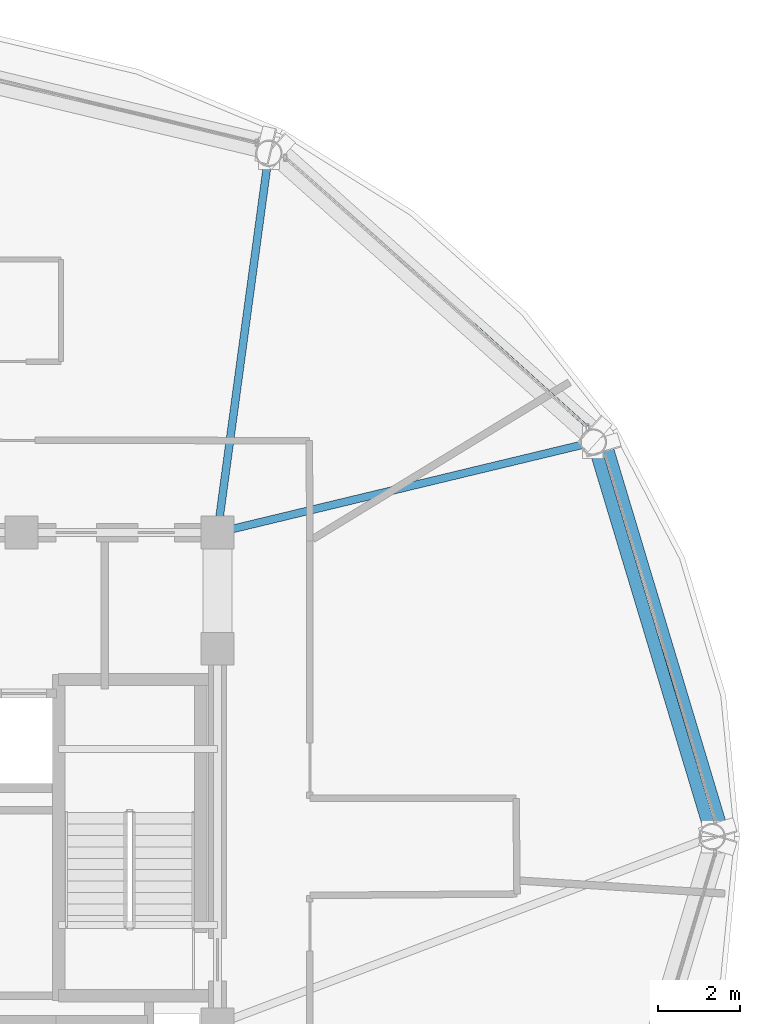
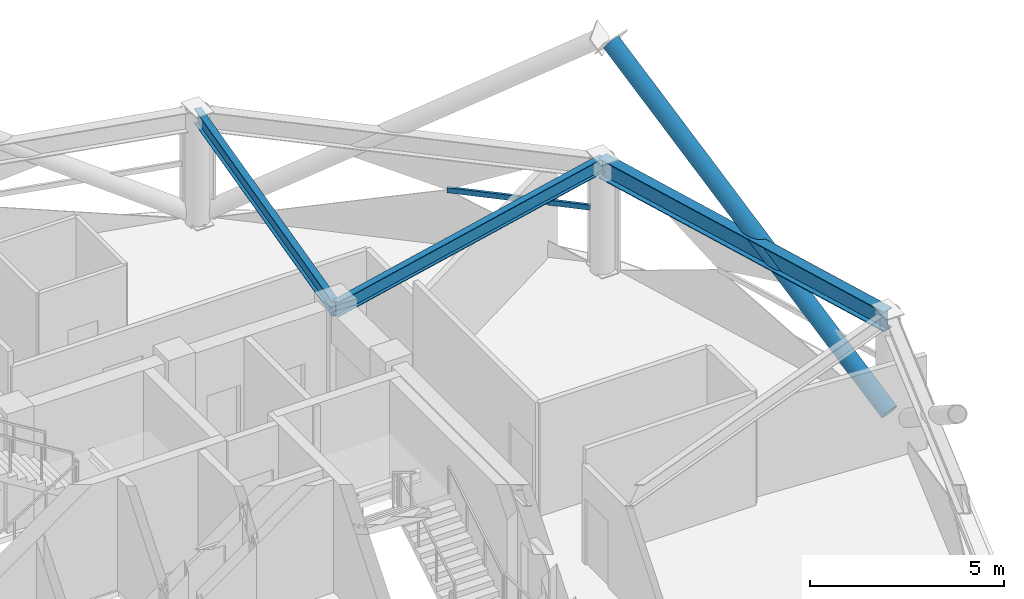
# One storey, part 14 of 28: 3 beams, 2 members, 1 element without a shape of its own.
"""IFC4 building model written with IfcOpenShell, lengths in metres."""

from ifc_helpers import new_model, si_unit, direction, frame, origin, origin_2d, place, context, subcontext, project, spatial, hollow_rectangle, hollow_circle, i_section, extrude, material, layer, layer_set, material_profile, profile_set, type_object, element, aggregate, save


model = new_model("IFC4")

# Units and contexts
model_context = context("Model", 3, precision=1e-05, world=origin(), true_north=direction((0.0, 1.0)))
body_context = subcontext(model_context, "Body", "Model", "MODEL_VIEW")
ifc_project = project(units=[si_unit("LENGTHUNIT", "METRE"), si_unit("AREAUNIT", "SQUARE_METRE"), si_unit("VOLUMEUNIT", "CUBIC_METRE"), si_unit("PLANEANGLEUNIT", "RADIAN"), si_unit("MASSUNIT", "GRAM", prefix="KILO")], contexts=[model_context])

# Site, building, storey
site_placement = place(None, origin())
site = spatial("IfcSite", under=ifc_project, at=site_placement, CompositionType="ELEMENT")
building_placement = place(site_placement, origin())
building = spatial("IfcBuilding", under=site, at=building_placement, Name="Vantalir Tower", CompositionType="ELEMENT")
storey_placement = place(building_placement, frame((0.0, 0.0, 242.39990234375)))
storey = spatial("IfcBuildingStorey", under=building, at=storey_placement, Name="L61", CompositionType="ELEMENT", Elevation=242.39990234375)

# Beams
ifc_material_1 = material(Name="Steel S355", Category="steel")
ifc_material_profile_1 = material_profile(ifc_material_1, i_section(OverallWidth=0.19189453125, OverallDepth=0.462890625, WebThickness=0.010498046875, FlangeThickness=0.017578125, at=origin_2d()), Name="Steel S355")
ifc_profile_set_1 = profile_set([ifc_material_profile_1], Name="Steel S355")
beam_type_1 = type_object("IfcBeamType", Name="BM-RB-457x191", PredefinedType="BEAM", material=ifc_profile_set_1)
beam_1_placement = place(storey_placement, frame((50.30810546875, 34.666015625, 3.338134765625), z_axis=(-0.972239928785, -0.233986155308, 0.0), x_axis=(0.233986155308, -0.972239928785, 0.0)))
element("IfcBeam", 1, at=beam_1_placement, inside=storey, type_object=beam_type_1, Name="L61 Radial Floor Beam 02", PredefinedType="BEAM", context=body_context, shape_type="SweptSolid", body=[
    extrude(i_section(OverallWidth=0.19189453125, OverallDepth=0.462890625, WebThickness=0.010498046875, FlangeThickness=0.017578125, at=origin_2d()), origin(), (0.0, 0.0, 1.0), 9.470947265625),
])
beam_2_placement = place(storey_placement, frame((42.35888671875, 41.742919921875, 3.338134765625), z_axis=(-0.134230220125, -0.99095017433, 0.0), x_axis=(0.99095017433, -0.134230220125, 0.0)))
element("IfcBeam", 2, at=beam_2_placement, inside=storey, type_object=beam_type_1, Name="L61 Radial Floor Beam 03", PredefinedType="BEAM", context=body_context, shape_type="SweptSolid", body=[
    extrude(i_section(OverallWidth=0.19189453125, OverallDepth=0.462890625, WebThickness=0.010498046875, FlangeThickness=0.017578125, at=origin_2d()), origin(), (0.0, 0.0, 1.0), 9.3779296875),
])
ifc_material_2 = material(Name="Steel S460", Category="steel")
ifc_material_profile_2 = material_profile(ifc_material_2, i_section(OverallWidth=0.306884765625, OverallDepth=0.6201171875, WebThickness=0.01416015625, FlangeThickness=0.023681640625, at=origin_2d()), Name="Steel S460")
ifc_profile_set_2 = profile_set([ifc_material_profile_2], Name="Steel S460")
beam_type_2 = type_object("IfcBeamType", Name="BM-RG-610x305", PredefinedType="USERDEFINED", material=ifc_profile_set_2)
beam_3_placement = place(storey_placement, frame((53.218017578125, 25.0, 3.260009765625), z_axis=(-0.288266356679, 0.95755026375, 0.0), x_axis=(-0.95755026375, -0.288266356679, 0.0)))
element("IfcBeam", 3, at=beam_3_placement, inside=storey, type_object=beam_type_2, Name="L61 Circumferential Ring Girder 01", ObjectType="GIRDER", PredefinedType="USERDEFINED", context=body_context, shape_type="SweptSolid", body=[
    extrude(i_section(OverallWidth=0.306884765625, OverallDepth=0.6201171875, WebThickness=0.01416015625, FlangeThickness=0.023681640625, at=origin_2d()), origin(), (0.0, 0.0, 1.0), 10.094482421875),
])

# Curtain wall, member
ifc_material_3 = material(Name="Champagne-silver PVDF aluminium and double-silver Low-E glass", Category="aluminium")
ifc_layer = layer(ifc_material_3, 0.2099609375)
ifc_layer_set = layer_set([ifc_layer], Name="Champagne-silver PVDF aluminium and double-silver Low-E glass")
curtain_wall_type = type_object("IfcCurtainWallType", Name="CW-DIAMOND-Z3", PredefinedType="USERDEFINED", material=ifc_layer_set)
curtain_wall_placement = place(storey_placement, origin())
curtain_wall = element("IfcCurtainWall", 4, at=curtain_wall_placement, inside=storey, type_object=curtain_wall_type, Name="L61 Quilted Pyramid-Diamond Curtain Wall S02", ObjectType="UNITISED CURTAIN WALL", PredefinedType="USERDEFINED")
ifc_material_4 = material(Name="Champagne-silver PVDF aluminium 6063-T6", Category="aluminium")
ifc_material_profile_3 = material_profile(ifc_material_4, hollow_rectangle(XDim=0.074951171875, YDim=0.159912109375, WallThickness=0.00390625, at=origin_2d()), Name="Champagne-silver PVDF aluminium 6063-T6")
ifc_profile_set_3 = profile_set([ifc_material_profile_3], Name="Champagne-silver PVDF aluminium 6063-T6")
member_type_1 = type_object("IfcMemberType", Name="CWT-160x75", PredefinedType="USERDEFINED", material=ifc_profile_set_3)
member_1_placement = place(storey_placement, frame((50.1669921875, 35.033935546875, 1.78515625), z_axis=(-0.742416710434, 0.669938376321, 0.0), x_axis=(-0.669938376321, -0.742416710434, 0.0)))
member_1 = element("IfcMember", 5, at=member_1_placement, type_object=member_type_1, Name="CW-L61-S02 Pyramid Fold Ridge Transom", ObjectType="TRANSOM", PredefinedType="USERDEFINED", context=body_context, shape_type="SweptSolid", body=[
    extrude(hollow_rectangle(XDim=0.074951171875, YDim=0.159912109375, WallThickness=0.00390625, at=origin_2d()), origin(), (0.0, 0.0, 1.0), 3.765869140625),
])
aggregate(curtain_wall, [member_1])

# Member
ifc_material_profile_4 = material_profile(ifc_material_2, hollow_circle(Radius=0.25, WallThickness=0.031982421875, at=origin_2d()), Name="Steel S460")
ifc_profile_set_4 = profile_set([ifc_material_profile_4], Name="Steel S460")
member_type_2 = type_object("IfcMemberType", Name="MEM-DB-500x32", PredefinedType="BRACE", material=ifc_profile_set_4)
member_2_placement = place(storey_placement, frame((53.35595703125, 25.172119140625, 0.2060546875), z_axis=(-0.23558240087, 0.783622315141, 0.574836498157), x_axis=(-0.957659390234, -0.287903616332, 0.0)))
element("IfcMember", 6, at=member_2_placement, inside=storey, type_object=member_type_2, Name="L61 Perimeter S460 Diagrid Brace R01L", PredefinedType="BRACE", context=body_context, shape_type="SweptSolid", body=[
    extrude(hollow_circle(Radius=0.25, WallThickness=0.031982421875, at=origin_2d()), origin(), (0.0, 0.0, 1.0), 12.017333984375),
])

save(model, "model.ifc")
